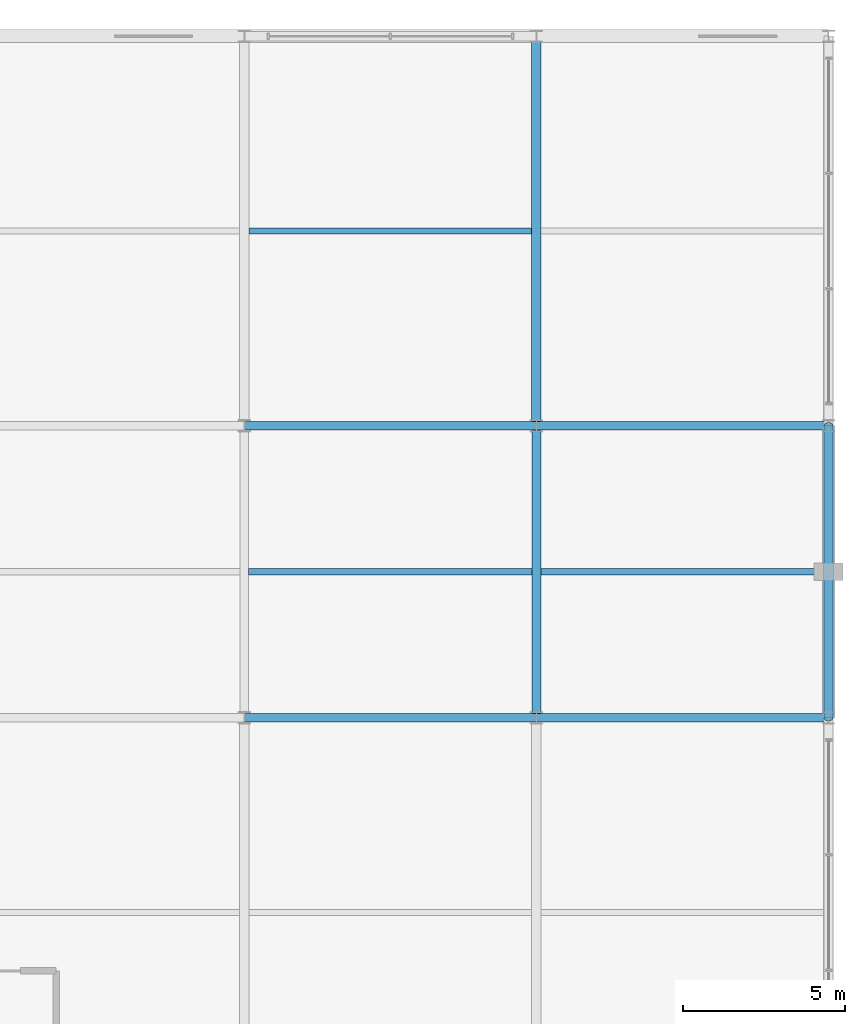
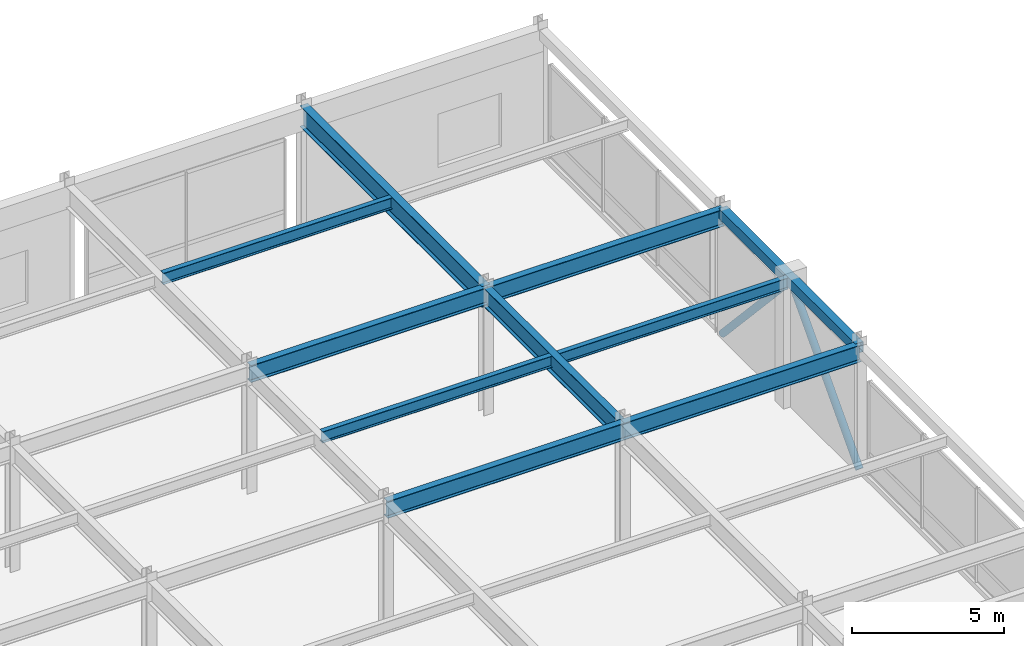
# One storey, part 71 of 100: 10 beams, 2 members.
"""IFC4 building model written with IfcOpenShell, lengths in metres."""

from ifc_helpers import new_model, si_unit, direction, frame, origin, origin_2d, place, context, subcontext, project, spatial, hollow_rectangle, hollow_circle, i_section, extrude, material, material_profile, profile_set, type_object, element, save


model = new_model("IFC4")

# Units and contexts
model_context = context("Model", 3, precision=1e-05, world=origin(), true_north=direction((0.0, 1.0)))
body_context = subcontext(model_context, "Body", "Model", "MODEL_VIEW")
ifc_project = project(units=[si_unit("LENGTHUNIT", "METRE"), si_unit("AREAUNIT", "SQUARE_METRE"), si_unit("VOLUMEUNIT", "CUBIC_METRE"), si_unit("PLANEANGLEUNIT", "RADIAN"), si_unit("MASSUNIT", "GRAM", prefix="KILO")], contexts=[model_context])

# Site, building, storey
site_placement = place(None, origin())
site = spatial("IfcSite", under=ifc_project, at=site_placement, CompositionType="ELEMENT")
building_placement = place(site_placement, origin())
building = spatial("IfcBuilding", under=site, at=building_placement, Name="Kaldorvane Square Convention Centre", CompositionType="ELEMENT")
storey_placement = place(building_placement, frame((0.0, 0.0, 18.0)))
storey = spatial("IfcBuildingStorey", under=building, at=storey_placement, Name="L03", CompositionType="ELEMENT", Elevation=18.0)

# Beams
ifc_material_1 = material(Name="Steel ASTM A992 Gr. 50", Category="steel")
ifc_material_profile_1 = material_profile(ifc_material_1, i_section(OverallWidth=0.25439453125, OverallDepth=0.6880950927734375, WebThickness=0.0131072998046875, FlangeThickness=0.0211029052734375, FilletRadius=0.01519775390625, at=origin_2d()), Name="W27X102")
ifc_profile_set_1 = profile_set([ifc_material_profile_1], Name="Steel ASTM A992 Gr. 50")
beam_type_1 = type_object("IfcBeamType", Name="BM-GR-W27X102", PredefinedType="BEAM", material=ifc_profile_set_1)
for number, where, z_axis, x_axis, name in (
    (1, (156.0, 96.0, 4.731903076171875), (1.0, 0.0, 0.0), (0.0, 1.0, 0.0), "Primary Girder (L03)"),
    (2, (165.0, 96.0, 4.731903076171875), (1.0, 0.0, 0.0), (0.0, 1.0, 0.0), "Primary Girder (L03)"),
    (3, (156.0, 105.0, 4.731903076171875), (1.0, 0.0, 0.0), (0.0, 1.0, 0.0), "Primary Girder (L03)"),
    (4, (165.0, 105.0, 4.731903076171875), (1.0, 0.0, 0.0), (0.0, 1.0, 0.0), "Primary Girder (L03)"),
):
    element("IfcBeam", number, at=place(storey_placement, frame(where, z_axis=z_axis, x_axis=x_axis)), inside=storey, type_object=beam_type_1, Name=name, PredefinedType="BEAM", context=body_context, shape_type="SweptSolid", body=[
        extrude(i_section(OverallWidth=0.25439453125, OverallDepth=0.6880950927734375, WebThickness=0.0131072998046875, FlangeThickness=0.0211029052734375, FilletRadius=0.01519775390625, at=origin_2d()), origin(), (0.0, 0.0, 1.0), 9.0),
    ])
ifc_material_profile_2 = material_profile(ifc_material_1, i_section(OverallWidth=0.2666015625, OverallDepth=0.762298583984375, WebThickness=0.014404296875, FlangeThickness=0.0216064453125, FilletRadius=0.0164947509765625, at=origin_2d()), Name="W30X116")
ifc_profile_set_2 = profile_set([ifc_material_profile_2], Name="Steel ASTM A992 Gr. 50")
beam_type_2 = type_object("IfcBeamType", Name="BM-GR-W30X116", PredefinedType="BEAM", material=ifc_profile_set_2)
beam_1_placement = place(storey_placement, frame((165.0, 96.0, 4.694793701171875), z_axis=(0.0, 1.0, 0.0), x_axis=(-1.0, 0.0, 0.0)))
element("IfcBeam", 5, at=beam_1_placement, inside=storey, type_object=beam_type_2, Name="Transverse Girder (L03)", PredefinedType="BEAM", context=body_context, shape_type="SweptSolid", body=[
    extrude(i_section(OverallWidth=0.2666015625, OverallDepth=0.762298583984375, WebThickness=0.014404296875, FlangeThickness=0.0216064453125, FilletRadius=0.0164947509765625, at=origin_2d()), origin(), (0.0, 0.0, 1.0), 9.0),
])
ifc_material_profile_3 = material_profile(ifc_material_1, i_section(OverallWidth=0.292999267578125, OverallDepth=0.845794677734375, WebThickness=0.0153961181640625, FlangeThickness=0.0243988037109375, FilletRadius=0.0178070068359375, at=origin_2d()), Name="W33X141")
ifc_profile_set_3 = profile_set([ifc_material_profile_3], Name="Steel ASTM A992 Gr. 50")
beam_type_3 = type_object("IfcBeamType", Name="BM-GR-W33X141", PredefinedType="BEAM", material=ifc_profile_set_3)
beam_2_placement = place(storey_placement, frame((165.0, 105.0, 4.653106689453125), z_axis=(0.0, 1.0, 0.0), x_axis=(-1.0, 0.0, 0.0)))
element("IfcBeam", 6, at=beam_2_placement, inside=storey, type_object=beam_type_3, Name="Transverse Girder (L03)", PredefinedType="BEAM", context=body_context, shape_type="SweptSolid", body=[
    extrude(i_section(OverallWidth=0.292999267578125, OverallDepth=0.845794677734375, WebThickness=0.0153961181640625, FlangeThickness=0.0243988037109375, FilletRadius=0.0178070068359375, at=origin_2d()), origin(), (0.0, 0.0, 1.0), 12.0),
])
ifc_material_profile_4 = material_profile(ifc_material_1, i_section(OverallWidth=0.1912994384765625, OverallDepth=0.4600067138671875, WebThickness=0.0099029541015625, FlangeThickness=0.0160064697265625, FilletRadius=0.01019287109375, at=origin_2d()), Name="W18X55")
ifc_profile_set_4 = profile_set([ifc_material_profile_4], Name="Steel ASTM A992 Gr. 50")
beam_type_4 = type_object("IfcBeamType", Name="BM-JS-W18X55", PredefinedType="JOIST", material=ifc_profile_set_4)
beam_3_placement = place(storey_placement, frame((156.13330078125, 100.5, 4.8459930419921875), z_axis=(1.0, 0.0, 0.0), x_axis=(0.0, 1.0, 0.0)))
element("IfcBeam", 7, at=beam_3_placement, inside=storey, type_object=beam_type_4, Name="Secondary Floor Joist (L03)", PredefinedType="JOIST", context=body_context, shape_type="SweptSolid", body=[
    extrude(i_section(OverallWidth=0.1912994384765625, OverallDepth=0.4600067138671875, WebThickness=0.0099029541015625, FlangeThickness=0.0160064697265625, FilletRadius=0.01019287109375, at=origin_2d()), origin(), (0.0, 0.0, 1.0), 8.7333984375),
])
beam_4_placement = place(storey_placement, frame((165.13330078125, 100.5, 4.8459930419921875), z_axis=(1.0, 0.0, 0.0), x_axis=(0.0, 1.0, 0.0)))
element("IfcBeam", 8, at=beam_4_placement, inside=storey, type_object=beam_type_4, Name="Secondary Floor Joist (L03)", PredefinedType="JOIST", context=body_context, shape_type="SweptSolid", body=[
    extrude(i_section(OverallWidth=0.1912994384765625, OverallDepth=0.4600067138671875, WebThickness=0.0099029541015625, FlangeThickness=0.0160064697265625, FilletRadius=0.01019287109375, at=origin_2d()), origin(), (0.0, 0.0, 1.0), 8.71429443359375),
])
beam_5_placement = place(storey_placement, frame((156.14649963378906, 111.0, 4.8459930419921875), z_axis=(1.0, 0.0, 0.0), x_axis=(0.0, 1.0, 0.0)))
element("IfcBeam", 9, at=beam_5_placement, inside=storey, type_object=beam_type_4, Name="Secondary Floor Joist (L03)", PredefinedType="JOIST", context=body_context, shape_type="SweptSolid", body=[
    extrude(i_section(OverallWidth=0.1912994384765625, OverallDepth=0.4600067138671875, WebThickness=0.0099029541015625, FlangeThickness=0.0160064697265625, FilletRadius=0.01019287109375, at=origin_2d()), origin(), (0.0, 0.0, 1.0), 8.707000732421875),
])
ifc_material_2 = material(Name="Steel ASTM A500 Gr. C", Category="steel")
ifc_material_profile_5 = material_profile(ifc_material_2, hollow_rectangle(XDim=0.3047943115234375, YDim=0.406402587890625, WallThickness=0.0117950439453125, at=origin_2d()), Name="HSS16X12X1/2")
ifc_profile_set_5 = profile_set([ifc_material_profile_5], Name="Steel ASTM A500 Gr. C")
beam_type_5 = type_object("IfcBeamType", Name="BM-SP-HSS16", PredefinedType="SPANDREL", material=ifc_profile_set_5)
beam_6_placement = place(storey_placement, frame((174.0, 96.0, 4.872802734375), z_axis=(0.0, 1.0, 0.0), x_axis=(-1.0, 0.0, 0.0)))
element("IfcBeam", 10, at=beam_6_placement, inside=storey, type_object=beam_type_5, Name="End Spandrel (L03)", PredefinedType="SPANDREL", context=body_context, shape_type="SweptSolid", body=[
    extrude(hollow_rectangle(XDim=0.3047943115234375, YDim=0.406402587890625, WallThickness=0.0117950439453125, at=origin_2d()), origin(), (0.0, 0.0, 1.0), 9.0),
])

# Members
ifc_material_profile_6 = material_profile(ifc_material_2, hollow_circle(Radius=0.1365509033203125, WallThickness=0.0117950439453125, at=origin_2d()), Name="HSS10.750X0.500")
ifc_profile_set_6 = profile_set([ifc_material_profile_6], Name="Steel ASTM A500 Gr. C")
member_type = type_object("IfcMemberType", Name="MB-BR-CHS10", PredefinedType="BRACE", material=ifc_profile_set_6)
for number, where, z_axis, x_axis, name in (
    (11, (174.0, 96.0, 0.0), (0.0, 0.678445192455, 0.73465101976), (-1.0, 0.0, 0.0), "Seismic Chevron Brace X174-B2A (L03)"),
    (12, (174.0, 105.0, 0.0), (0.0, -0.678445192455, 0.73465101976), (1.0, 0.0, 0.0), "Seismic Chevron Brace X174-B2B (L03)"),
):
    element("IfcMember", number, at=place(storey_placement, frame(where, z_axis=z_axis, x_axis=x_axis)), inside=storey, type_object=member_type, Name=name, PredefinedType="BRACE", context=body_context, shape_type="SweptSolid", body=[
        extrude(hollow_circle(Radius=0.1365509033203125, WallThickness=0.0117950439453125, at=origin_2d()), origin(), (0.0, 0.0, 1.0), 6.6328125),
    ])

save(model, "model.ifc")
